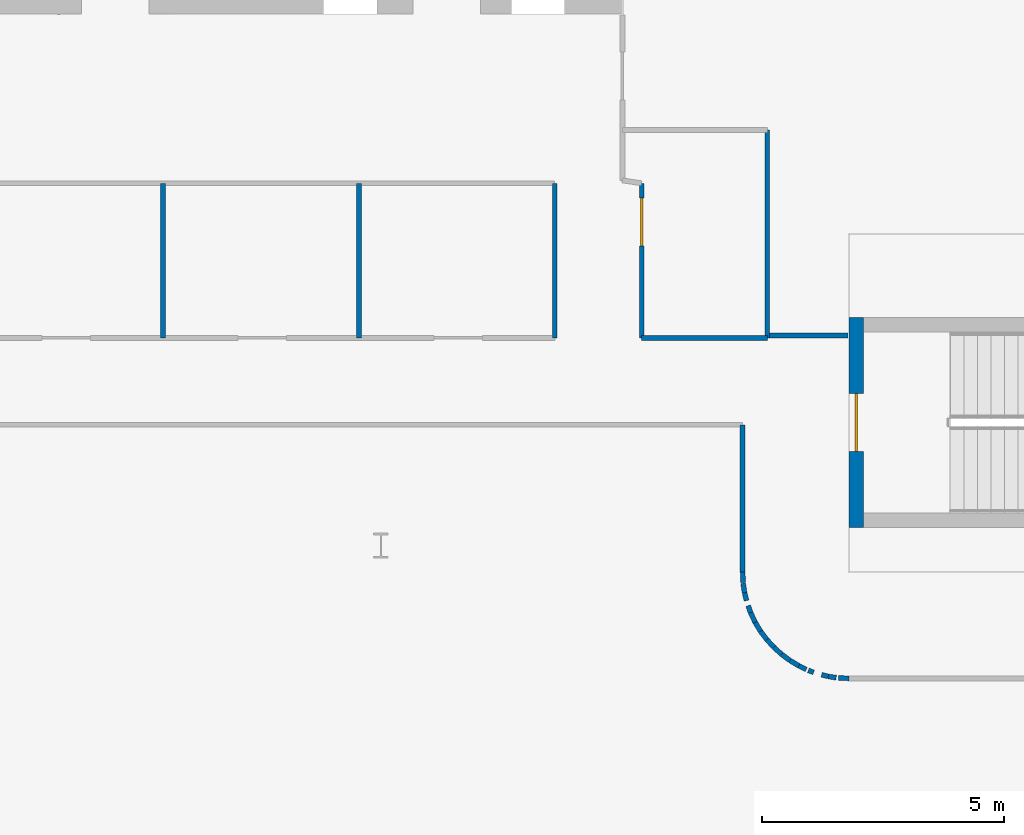
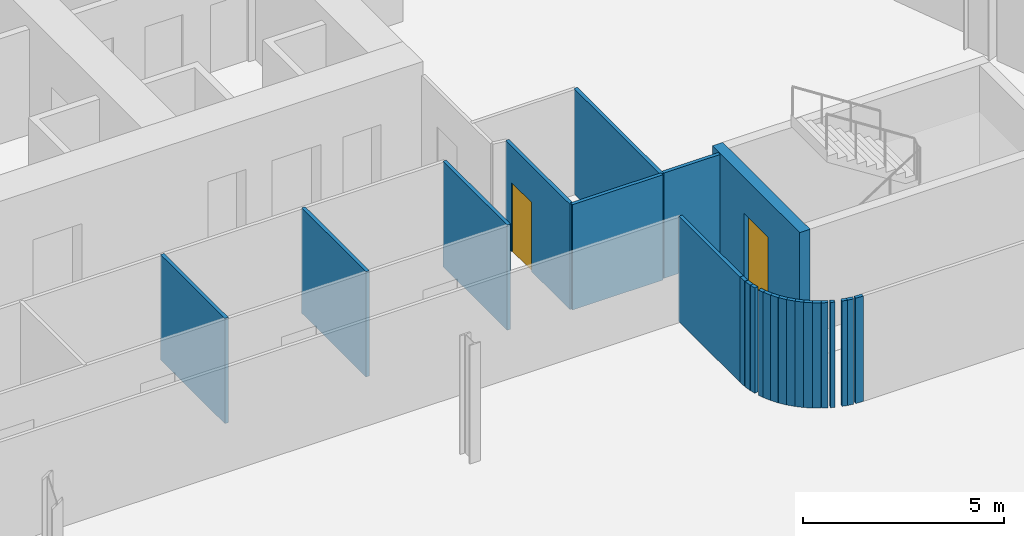
# One storey, part 19 of 30: 25 walls, 2 doors, 2 openings.
"""IFC4 building model written with IfcOpenShell, lengths in metres."""

from ifc_helpers import new_model, si_unit, direction, frame, frame_2d, origin, place, context, subcontext, project, spatial, rectangle, extrude, material, layer, layer_set, type_object, element, fill, save


model = new_model("IFC4")

# Units and contexts
model_context = context("Model", 3, precision=1e-05, world=origin(), true_north=direction((0.0, 1.0)))
body_context = subcontext(model_context, "Body", "Model", "MODEL_VIEW")
ifc_project = project(units=[si_unit("LENGTHUNIT", "METRE"), si_unit("AREAUNIT", "SQUARE_METRE"), si_unit("VOLUMEUNIT", "CUBIC_METRE"), si_unit("PLANEANGLEUNIT", "RADIAN"), si_unit("MASSUNIT", "GRAM", prefix="KILO")], contexts=[model_context])

# Site, building, storey
site_placement = place(None, origin())
site = spatial("IfcSite", under=ifc_project, at=site_placement, CompositionType="ELEMENT")
building_placement = place(site_placement, origin())
building = spatial("IfcBuilding", under=site, at=building_placement, Name="Wharfspan Tower", CompositionType="ELEMENT")
storey_placement = place(building_placement, frame((0.0, 0.0, 100.300049)))
storey = spatial("IfcBuildingStorey", under=building, at=storey_placement, Name="L22", CompositionType="ELEMENT", Elevation=100.300049)

# Walls
ifc_material_1 = material(Name="Gypsum board on steel studs", Category="steel")
ifc_layer_1 = layer(ifc_material_1, 0.100098)
ifc_layer_set_1 = layer_set([ifc_layer_1], Name="Gypsum board on steel studs")
wall_type_1 = type_object("IfcWallType", Name="Compartment wall 100 EI 60", PredefinedType="PARTITIONING", material=ifc_layer_set_1)
for number, where, z_axis, x_axis, name in (
    (1, (55.48999, 27.300049, 0.0), (0.0, 0.0, 1.0), (0.0, 1.0, 0.0), "Partition L22.w072"),
    (2, (59.544922, 27.300049, 0.0), (0.0, 0.0, 1.0), (0.0, 1.0, 0.0), "Partition L22.w074"),
    (3, (63.600098, 27.300049, 0.0), (0.0, 0.0, 1.0), (0.0, 1.0, 0.0), "Partition L22.w075"),
):
    element("IfcWall", number, at=place(storey_placement, frame(where, z_axis=z_axis, x_axis=x_axis)), inside=storey, type_object=wall_type_1, Name=name, PredefinedType="PARTITIONING", context=body_context, shape_type="SweptSolid", body=[
        extrude(rectangle(XDim=3.199951, YDim=0.100098, at=frame_2d((1.600098, 0.0))), origin(), (0.0, 0.0, 1.0), 3.199951),
    ])

# Wall, opening, door
wall_1_placement = place(storey_placement, frame((65.399902, 27.300049, 0.0), z_axis=(0.0, 0.0, 1.0), x_axis=(0.0, 1.0, 0.0)))
wall_1 = element("IfcWall", 4, at=wall_1_placement, inside=storey, type_object=wall_type_1, Name="Partition L22.w079", PredefinedType="PARTITIONING", context=body_context, shape_type="SweptSolid", body=[
    extrude(rectangle(XDim=3.199951, YDim=0.100098, at=frame_2d((1.600098, 0.0))), origin(), (0.0, 0.0, 1.0), 3.199951),
])
opening_1_placement = place(wall_1_placement, frame((1.899902, 0.0, 0.0)))
opening_1 = element("IfcOpeningElement", 5, at=opening_1_placement, cuts=wall_1, Name="Opening B2-19", PredefinedType="OPENING", context=body_context, shape_type="SweptSolid", body=[
    extrude(rectangle(XDim=1.0, YDim=2.100098, at=frame_2d((0.5, 1.050049))), frame((0.0, 0.060059, 0.0), z_axis=(0.0, -1.0, 0.0), x_axis=(1.0, 0.0, 0.0)), (0.0, 0.0, 1.0), 0.120117),
])
ifc_material_2 = material(Name="Fire-rated timber door leaf in steel frame", Category="steel")
door_type_1 = type_object("IfcDoorType", Name="Door 1000 FD30S Right", OperationType="SINGLE_SWING_RIGHT", PredefinedType="DOOR", material=ifc_material_2)
door_1_placement = place(opening_1_placement, origin())
door_1 = element("IfcDoor", 6, at=door_1_placement, inside=storey, type_object=door_type_1, Name="Door B2-19", OperationType="SINGLE_SWING_RIGHT", OverallHeight=2.100098, OverallWidth=1.0, PredefinedType="DOOR", context=body_context, shape_type="SweptSolid", body=[
    extrude(rectangle(XDim=1.0, YDim=2.100098, at=frame_2d((0.5, 1.050049))), frame((0.0, 0.024902, 0.0), z_axis=(0.0, -1.0, 0.0), x_axis=(1.0, 0.0, 0.0)), (0.0, 0.0, 1.0), 0.050049),
])
fill(opening_1, door_1)

# Walls
wall_2_placement = place(storey_placement, frame((65.399902, 27.300049, 0.0), z_axis=(0.0, 0.0, 1.0), x_axis=(1.0, 0.0, 0.0)))
element("IfcWall", 7, at=wall_2_placement, inside=storey, type_object=wall_type_1, Name="Partition L22.w080", PredefinedType="PARTITIONING", context=body_context, shape_type="SweptSolid", body=[
    extrude(rectangle(XDim=2.600098, YDim=0.100098, at=frame_2d((1.300049, 0.0))), origin(), (0.0, 0.0, 1.0), 3.199951),
])
wall_3_placement = place(storey_placement, frame((67.48999, 22.449951, 0.0), z_axis=(0.0, 0.0, 1.0), x_axis=(0.0, 1.0, 0.0)))
element("IfcWall", 8, at=wall_3_placement, inside=storey, type_object=wall_type_1, Name="Partition L22.w081", PredefinedType="PARTITIONING", context=body_context, shape_type="SweptSolid", body=[
    extrude(rectangle(XDim=3.050049, YDim=0.100098, at=frame_2d((1.524902, 0.0))), origin(), (0.0, 0.0, 1.0), 3.199951),
])
wall_4_placement = place(storey_placement, frame((67.5, 22.235107, 0.0), z_axis=(0.0, 0.0, 1.0), x_axis=(-0.04654, 0.998912, 0.0)))
element("IfcWall", 9, at=wall_4_placement, inside=storey, type_object=wall_type_1, Name="Partition L22.w082", PredefinedType="PARTITIONING", context=body_context, shape_type="SweptSolid", body=[
    extrude(rectangle(XDim=0.215088, YDim=0.100098, at=frame_2d((0.107422, 0.0))), origin(), (0.0, 0.0, 1.0), 3.199951),
])
wall_5_placement = place(storey_placement, frame((67.530029, 22.02002, 0.0), z_axis=(0.0, 0.0, 1.0), x_axis=(-0.148517, 0.988906, 0.0)))
element("IfcWall", 10, at=wall_5_placement, inside=storey, type_object=wall_type_1, Name="Partition L22.w083", PredefinedType="PARTITIONING", context=body_context, shape_type="SweptSolid", body=[
    extrude(rectangle(XDim=0.202148, YDim=0.100098, at=frame_2d((0.101074, 0.0))), origin(), (0.0, 0.0, 1.0), 3.199951),
])
wall_6_placement = place(storey_placement, frame((67.570068, 21.860107, 0.0), z_axis=(0.0, 0.0, 1.0), x_axis=(-0.242884, 0.970055, 0.0)))
element("IfcWall", 11, at=wall_6_placement, inside=storey, type_object=wall_type_1, Name="Partition L22.w084", PredefinedType="PARTITIONING", context=body_context, shape_type="SweptSolid", body=[
    extrude(rectangle(XDim=0.164795, YDim=0.100098, at=frame_2d((0.08252, 0.0))), origin(), (0.0, 0.0, 1.0), 3.199951),
])
wall_7_placement = place(storey_placement, frame((67.655029, 21.610107, 0.0), z_axis=(0.0, 0.0, 1.0), x_axis=(-0.326726, 0.945115, 0.0)))
element("IfcWall", 12, at=wall_7_placement, inside=storey, type_object=wall_type_1, Name="Partition L22.w085", PredefinedType="PARTITIONING", context=body_context, shape_type="SweptSolid", body=[
    extrude(rectangle(XDim=0.153076, YDim=0.100098, at=frame_2d((0.07666, 0.0))), origin(), (0.0, 0.0, 1.0), 3.199951),
])
wall_8_placement = place(storey_placement, frame((67.75, 21.409912, 0.0), z_axis=(0.0, 0.0, 1.0), x_axis=(-0.428606, 0.903488, 0.0)))
element("IfcWall", 13, at=wall_8_placement, inside=storey, type_object=wall_type_1, Name="Partition L22.w086", PredefinedType="PARTITIONING", context=body_context, shape_type="SweptSolid", body=[
    extrude(rectangle(XDim=0.22168, YDim=0.100098, at=frame_2d((0.11084, 0.0))), origin(), (0.0, 0.0, 1.0), 3.199951),
])
wall_9_placement = place(storey_placement, frame((67.860107, 21.225098, 0.0), z_axis=(0.0, 0.0, 1.0), x_axis=(-0.511823, 0.859091, 0.0)))
element("IfcWall", 14, at=wall_9_placement, inside=storey, type_object=wall_type_1, Name="Partition L22.w087", PredefinedType="PARTITIONING", context=body_context, shape_type="SweptSolid", body=[
    extrude(rectangle(XDim=0.215088, YDim=0.100098, at=frame_2d((0.107422, 0.0))), origin(), (0.0, 0.0, 1.0), 3.199951),
])
wall_10_placement = place(storey_placement, frame((67.98999, 21.054932, 0.0), z_axis=(0.0, 0.0, 1.0), x_axis=(-0.606728, 0.794905, 0.0)))
element("IfcWall", 15, at=wall_10_placement, inside=storey, type_object=wall_type_1, Name="Partition L22.w088", PredefinedType="PARTITIONING", context=body_context, shape_type="SweptSolid", body=[
    extrude(rectangle(XDim=0.214111, YDim=0.100098, at=frame_2d((0.106934, 0.0))), origin(), (0.0, 0.0, 1.0), 3.199951),
])
wall_11_placement = place(storey_placement, frame((68.0, 27.300049, 0.0), z_axis=(0.0, 0.0, 1.0), x_axis=(0.0, 1.0, 0.0)))
element("IfcWall", 16, at=wall_11_placement, inside=storey, type_object=wall_type_1, Name="Partition L22.w089", PredefinedType="PARTITIONING", context=body_context, shape_type="SweptSolid", body=[
    extrude(rectangle(XDim=4.300049, YDim=0.100098, at=frame_2d((2.149902, 0.0))), origin(), (0.0, 0.0, 1.0), 3.199951),
])
wall_12_placement = place(storey_placement, frame((68.050049, 27.350098, 0.0), z_axis=(0.0, 0.0, 1.0), x_axis=(1.0, 0.0, 0.0)))
element("IfcWall", 17, at=wall_12_placement, inside=storey, type_object=wall_type_1, Name="Partition L22.w091", PredefinedType="PARTITIONING", context=body_context, shape_type="SweptSolid", body=[
    extrude(rectangle(XDim=1.620361, YDim=0.100098, at=frame_2d((0.810059, 0.0))), origin(), (0.0, 0.0, 1.0), 3.199951),
])
for number, where, z_axis, x_axis, name in (
    (18, (68.13501, 20.89502, 0.0), (0.0, 0.0, 1.0), (-0.671775, 0.740762, 0.0), "Partition L22.w092"),
    (19, (68.294922, 20.75, 0.0), (0.0, 0.0, 1.0), (-0.740762, 0.671775, 0.0), "Partition L22.w093"),
):
    element("IfcWall", number, at=place(storey_placement, frame(where, z_axis=z_axis, x_axis=x_axis)), inside=storey, type_object=wall_type_1, Name=name, PredefinedType="PARTITIONING", context=body_context, shape_type="SweptSolid", body=[
        extrude(rectangle(XDim=0.21582, YDim=0.100098, at=frame_2d((0.10791, 0.0))), origin(), (0.0, 0.0, 1.0), 3.199951),
    ])
wall_13_placement = place(storey_placement, frame((68.469971, 20.620117, 0.0), z_axis=(0.0, 0.0, 1.0), x_axis=(-0.803079, 0.595869, 0.0)))
element("IfcWall", 20, at=wall_13_placement, inside=storey, type_object=wall_type_1, Name="Partition L22.w094", PredefinedType="PARTITIONING", context=body_context, shape_type="SweptSolid", body=[
    extrude(rectangle(XDim=0.218018, YDim=0.100098, at=frame_2d((0.108887, 0.0))), origin(), (0.0, 0.0, 1.0), 3.199951),
])
wall_14_placement = place(storey_placement, frame((68.655029, 20.51001, 0.0), z_axis=(0.0, 0.0, 1.0), x_axis=(-0.859387, 0.511324, 0.0)))
element("IfcWall", 21, at=wall_14_placement, inside=storey, type_object=wall_type_1, Name="Partition L22.w095", PredefinedType="PARTITIONING", context=body_context, shape_type="SweptSolid", body=[
    extrude(rectangle(XDim=0.215332, YDim=0.100098, at=frame_2d((0.107666, 0.0))), origin(), (0.0, 0.0, 1.0), 3.199951),
])
wall_15_placement = place(storey_placement, frame((68.804932, 20.435059, 0.0), z_axis=(0.0, 0.0, 1.0), x_axis=(-0.894428, 0.447214, 0.0)))
element("IfcWall", 22, at=wall_15_placement, inside=storey, type_object=wall_type_1, Name="Partition L22.w096", PredefinedType="PARTITIONING", context=body_context, shape_type="SweptSolid", body=[
    extrude(rectangle(XDim=0.16748, YDim=0.100098, at=frame_2d((0.08374, 0.0))), origin(), (0.0, 0.0, 1.0), 3.199951),
])
wall_16_placement = place(storey_placement, frame((68.959961, 20.375, 0.0), z_axis=(0.0, 0.0, 1.0), x_axis=(-0.939545, 0.342412, 0.0)))
element("IfcWall", 23, at=wall_16_placement, inside=storey, type_object=wall_type_1, Name="Partition L22.w097", PredefinedType="PARTITIONING", context=body_context, shape_type="SweptSolid", body=[
    extrude(rectangle(XDim=0.116943, YDim=0.100098, at=frame_2d((0.058594, 0.0))), origin(), (0.0, 0.0, 1.0), 3.199951),
])
wall_17_placement = place(storey_placement, frame((69.26001, 20.290039, 0.0), z_axis=(0.0, 0.0, 1.0), x_axis=(-0.968156, 0.250355, 0.0)))
element("IfcWall", 24, at=wall_17_placement, inside=storey, type_object=wall_type_1, Name="Partition L22.w098", PredefinedType="PARTITIONING", context=body_context, shape_type="SweptSolid", body=[
    extrude(rectangle(XDim=0.139404, YDim=0.100098, at=frame_2d((0.069824, 0.0))), origin(), (0.0, 0.0, 1.0), 3.199951),
])
wall_18_placement = place(storey_placement, frame((69.425049, 20.264893, 0.0), z_axis=(0.0, 0.0, 1.0), x_axis=(-0.988594, 0.150629, 0.0)))
element("IfcWall", 25, at=wall_18_placement, inside=storey, type_object=wall_type_1, Name="Partition L22.w099", PredefinedType="PARTITIONING", context=body_context, shape_type="SweptSolid", body=[
    extrude(rectangle(XDim=0.166992, YDim=0.100098, at=frame_2d((0.083496, 0.0))), origin(), (0.0, 0.0, 1.0), 3.199951),
])
wall_19_placement = place(storey_placement, frame((69.689941, 20.25, 0.0), z_axis=(0.0, 0.0, 1.0), x_axis=(-0.998912, 0.04654, 0.0)))
element("IfcWall", 26, at=wall_19_placement, inside=storey, type_object=wall_type_1, Name="Partition L22.w101", PredefinedType="PARTITIONING", context=body_context, shape_type="SweptSolid", body=[
    extrude(rectangle(XDim=0.215088, YDim=0.100098, at=frame_2d((0.107422, 0.0))), origin(), (0.0, 0.0, 1.0), 3.199951),
])

# Wall, opening, door
ifc_material_3 = material(Name="Concrete C40/50", Category="concrete")
ifc_layer_2 = layer(ifc_material_3, 0.300049)
ifc_layer_set_2 = layer_set([ifc_layer_2], Name="Concrete C40/50")
wall_type_2 = type_object("IfcWallType", Name="Stair core wall 300", PredefinedType="SHEAR", material=ifc_layer_set_2)
wall_20_placement = place(storey_placement, frame((69.840332, 23.375, 0.0), z_axis=(0.0, 0.0, 1.0), x_axis=(0.0, 1.0, 0.0)))
wall_20 = element("IfcWall", 27, at=wall_20_placement, inside=storey, type_object=wall_type_2, Name="ST6 stair enclosure wall L22", PredefinedType="SHEAR", context=body_context, shape_type="SweptSolid", body=[
    extrude(rectangle(XDim=4.350098, YDim=0.300049, at=frame_2d((2.175049, 0.0))), origin(), (0.0, 0.0, 1.0), 3.199951),
])
opening_2_placement = place(wall_20_placement, frame((1.574951, 0.0, 0.0)))
opening_2 = element("IfcOpeningElement", 28, at=opening_2_placement, cuts=wall_20, Name="Opening SD6.L22", PredefinedType="OPENING", context=body_context, shape_type="SweptSolid", body=[
    extrude(rectangle(XDim=1.199951, YDim=2.100098, at=frame_2d((0.600098, 1.050049))), frame((0.0, 0.159912, 0.0), z_axis=(0.0, -1.0, 0.0), x_axis=(1.0, 0.0, 0.0)), (0.0, 0.0, 1.0), 0.320068),
])
ifc_material_4 = material(Name="Steel door leaf", Category="steel")
door_type_2 = type_object("IfcDoorType", Name="Stair door 1200x2100", OperationType="SINGLE_SWING_LEFT", PredefinedType="DOOR", material=ifc_material_4)
door_2_placement = place(opening_2_placement, origin())
door_2 = element("IfcDoor", 29, at=door_2_placement, inside=storey, type_object=door_type_2, Name="sd:L22:ST6z2", OperationType="SINGLE_SWING_RIGHT", OverallHeight=2.100098, OverallWidth=1.199951, PredefinedType="DOOR", context=body_context, shape_type="SweptSolid", body=[
    extrude(rectangle(XDim=1.199951, YDim=2.100098, at=frame_2d((0.600098, 1.050049))), frame((0.0, 0.024902, 0.0), z_axis=(0.0, -1.0, 0.0), x_axis=(1.0, 0.0, 0.0)), (0.0, 0.0, 1.0), 0.050049),
])
fill(opening_2, door_2)

save(model, "model.ifc")
